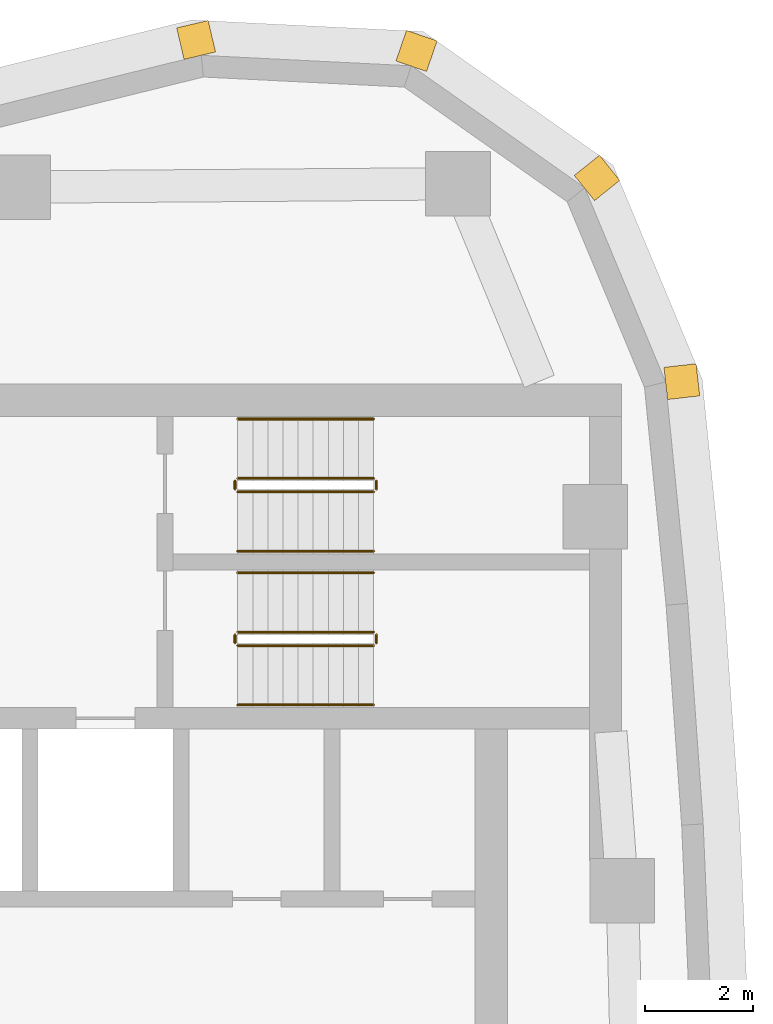
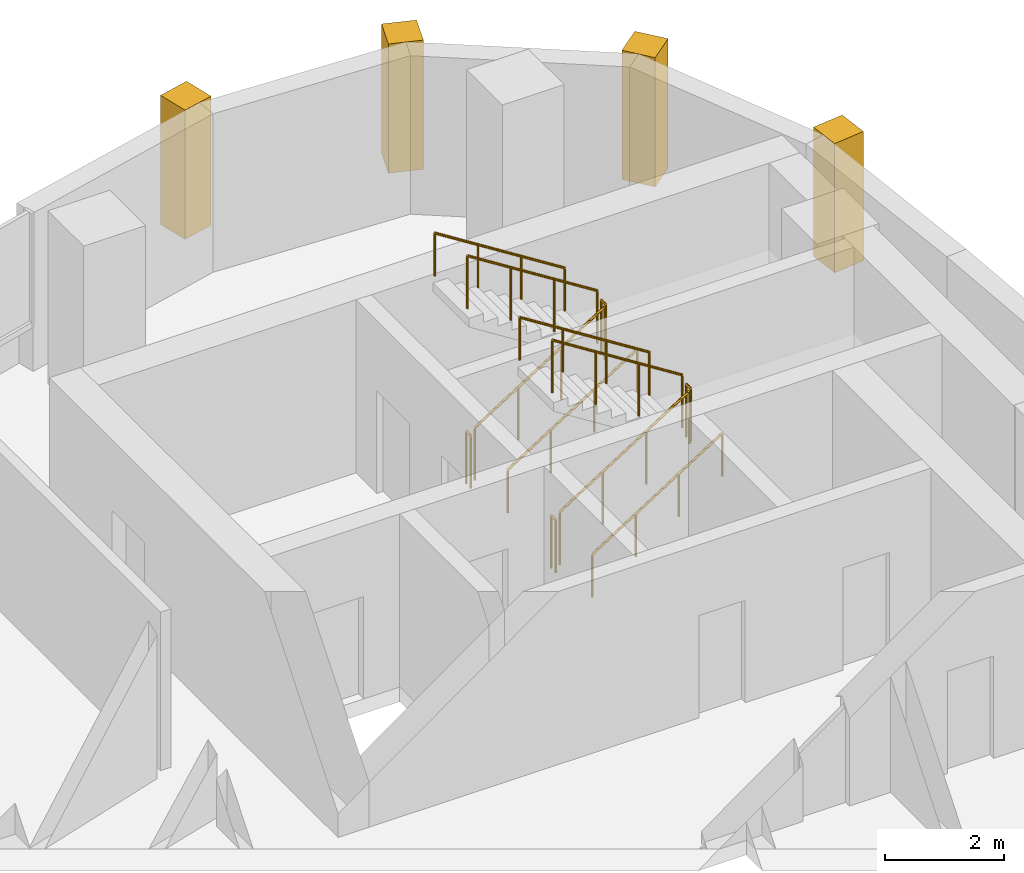
# One storey, part 15 of 15: 12 railings, 4 coverings.
"""IFC4 building model written with IfcOpenShell, lengths in metres."""

from ifc_helpers import new_model, si_unit, direction, frame, frame_2d, origin, origin_2d, place, context, subcontext, project, spatial, rectangle, circle, extrude, material, layer, layer_set, type_object, element, save


model = new_model("IFC4")

# Units and contexts
model_context = context("Model", 3, precision=1e-05, world=origin(), true_north=direction((0.0, 1.0)))
body_context = subcontext(model_context, "Body", "Model", "MODEL_VIEW")
ifc_project = project(units=[si_unit("LENGTHUNIT", "METRE"), si_unit("AREAUNIT", "SQUARE_METRE"), si_unit("VOLUMEUNIT", "CUBIC_METRE"), si_unit("PLANEANGLEUNIT", "RADIAN"), si_unit("MASSUNIT", "GRAM", prefix="KILO")], contexts=[model_context])

# Site, building, storey
site_placement = place(None, origin())
site = spatial("IfcSite", under=ifc_project, at=site_placement, CompositionType="ELEMENT")
building_placement = place(site_placement, origin())
building = spatial("IfcBuilding", under=site, at=building_placement, Name="Ostrand Prow Hotel Tower", CompositionType="ELEMENT")
storey_placement = place(building_placement, frame((0.0, 0.0, 242.10009765625)))
storey = spatial("IfcBuildingStorey", under=building, at=storey_placement, Name="L61", CompositionType="ELEMENT", Elevation=242.10009765625)

# Coverings
ifc_material_1 = material(Name="Limestone cladding", Category="masonry")
ifc_layer = layer(ifc_material_1, 0.60009765625)
ifc_layer_set = layer_set([ifc_layer], Name="Limestone cladding")
covering_type = type_object("IfcCoveringType", Name="Precast stone prow rib 600x600", PredefinedType="CLADDING", material=ifc_layer_set)
for number, where, z_axis, x_axis, name in (
    (1, (65.13623046875, 16.35986328125, 0.599853515625), (0.0, 0.0, 1.0), (0.993628058569, 0.112708833834, 0.0), "Stone corner rib 13a"),
    (2, (63.62744140625, 19.98291015625, 0.599853515625), (0.0, 0.0, 1.0), (0.779994736518, 0.625786074473, 0.0), "Stone corner rib 14a"),
    (3, (60.417236328125, 22.240966796875, 0.599853515625), (0.0, 0.0, 1.0), (0.325489086777, 0.945545797087, 0.0), "Stone corner rib 15a"),
    (4, (56.49755859375, 22.436279296875, 0.599853515625), (0.0, 0.0, 1.0), (-0.229878322855, 0.973219377469, 0.0), "Stone corner rib 15b"),
):
    element("IfcCovering", number, at=place(storey_placement, frame(where, z_axis=z_axis, x_axis=x_axis)), inside=storey, type_object=covering_type, Name=name, PredefinedType="CLADDING", context=body_context, shape_type="SweptSolid", body=[
        extrude(rectangle(XDim=0.60009765625, YDim=0.60009765625, at=frame_2d((0.300048828125, 0.0))), origin(), (0.0, 0.0, 1.0), 2.650146484375),
    ])

# Railings
ifc_material_2 = material(Name="Painted steel", Category="steel")
railing_type_1 = type_object("IfcRailingType", Name="Stair guard 1100", PredefinedType="GUARDRAIL", material=ifc_material_2)
railing_1_placement = place(storey_placement, frame((57.199951171875, 11.5, 0.177490234375)))
element("IfcRailing", 5, at=railing_1_placement, inside=storey, type_object=railing_type_1, Name="L61 ST1C stair guard 1", PredefinedType="GUARDRAIL", context=body_context, shape_type="SweptSolid", body=[
    extrude(circle(Radius=0.02392578125, at=origin_2d()), frame((0.0, 0.0, 1.076171875), z_axis=(0.84460694969, 0.0, 0.535386869969), x_axis=(0.0, 1.0, 0.0)), (0.0, 0.0, 1.0), 2.983642578125),
    extrude(circle(Radius=0.02099609375, at=origin_2d()), origin(), (0.0, 0.0, 1.0), 1.052001953125),
    extrude(circle(Radius=0.02099609375, at=origin_2d()), frame((0.840087890625, 0.0, 0.532470703125)), (0.0, 0.0, 1.0), 1.052001953125),
    extrude(circle(Radius=0.02099609375, at=origin_2d()), frame((1.679931640625, 0.0, 1.06494140625)), (0.0, 0.0, 1.0), 1.052001953125),
    extrude(circle(Radius=0.02099609375, at=origin_2d()), frame((2.52001953125, 0.0, 1.597412109375)), (0.0, 0.0, 1.0), 1.052001953125),
])
railing_2_placement = place(storey_placement, frame((59.77001953125, 11.550048828125, 1.77490234375)))
element("IfcRailing", 6, at=railing_2_placement, inside=storey, type_object=railing_type_1, Name="L61 ST1C stair guard 2", PredefinedType="GUARDRAIL", context=body_context, shape_type="SweptSolid", body=[
    extrude(circle(Radius=0.02392578125, at=origin_2d()), frame((0.0, 0.0, 1.076171875), z_axis=(0.0, 1.0, 0.0), x_axis=(-1.0, 0.0, 0.0)), (0.0, 0.0, 1.0), 0.14990234375),
    extrude(circle(Radius=0.02099609375, at=origin_2d()), origin(), (0.0, 0.0, 1.0), 1.052001953125),
    extrude(circle(Radius=0.02099609375, at=origin_2d()), frame((0.0, 0.14990234375, 0.0)), (0.0, 0.0, 1.0), 1.052001953125),
])
railing_3_placement = place(storey_placement, frame((59.719970703125, 11.75, 1.952392578125)))
element("IfcRailing", 7, at=railing_3_placement, inside=storey, type_object=railing_type_1, Name="L61 ST1C stair guard 3", PredefinedType="GUARDRAIL", context=body_context, shape_type="SweptSolid", body=[
    extrude(circle(Radius=0.02392578125, at=origin_2d()), frame((0.0, 0.0, 1.076171875), z_axis=(-0.84460694969, 0.0, 0.535386869969), x_axis=(0.0, -1.0, 0.0)), (0.0, 0.0, 1.0), 2.983642578125),
    extrude(circle(Radius=0.02099609375, at=origin_2d()), origin(), (0.0, 0.0, 1.0), 1.052001953125),
    extrude(circle(Radius=0.02099609375, at=origin_2d()), frame((-0.840087890625, 0.0, 0.532470703125)), (0.0, 0.0, 1.0), 1.052001953125),
    extrude(circle(Radius=0.02099609375, at=origin_2d()), frame((-1.679931640625, 0.0, 1.06494140625)), (0.0, 0.0, 1.0), 1.052001953125),
    extrude(circle(Radius=0.02099609375, at=origin_2d()), frame((-2.52001953125, 0.0, 1.597412109375)), (0.0, 0.0, 1.0), 1.052001953125),
])
railing_4_placement = place(storey_placement, frame((57.14990234375, 11.550048828125, 0.0)))
element("IfcRailing", 8, at=railing_4_placement, inside=storey, type_object=railing_type_1, Name="L61 ST1C stair guard 4", PredefinedType="GUARDRAIL", context=body_context, shape_type="SweptSolid", body=[
    extrude(circle(Radius=0.02392578125, at=origin_2d()), frame((0.0, 0.0, 1.076171875), z_axis=(0.0, 1.0, 0.0), x_axis=(-1.0, 0.0, 0.0)), (0.0, 0.0, 1.0), 0.14990234375),
    extrude(circle(Radius=0.02099609375, at=origin_2d()), origin(), (0.0, 0.0, 1.0), 1.052001953125),
    extrude(circle(Radius=0.02099609375, at=origin_2d()), frame((0.0, 0.14990234375, 0.0)), (0.0, 0.0, 1.0), 1.052001953125),
])
railing_5_placement = place(storey_placement, frame((57.199951171875, 14.35009765625, 0.177490234375)))
element("IfcRailing", 9, at=railing_5_placement, inside=storey, type_object=railing_type_1, Name="L61 ST3C stair guard 1", PredefinedType="GUARDRAIL", context=body_context, shape_type="SweptSolid", body=[
    extrude(circle(Radius=0.02392578125, at=origin_2d()), frame((0.0, 0.0, 1.076171875), z_axis=(0.84460694969, 0.0, 0.535386869969), x_axis=(0.0, 1.0, 0.0)), (0.0, 0.0, 1.0), 2.983642578125),
    extrude(circle(Radius=0.02099609375, at=origin_2d()), origin(), (0.0, 0.0, 1.0), 1.052001953125),
    extrude(circle(Radius=0.02099609375, at=origin_2d()), frame((0.840087890625, 0.0, 0.532470703125)), (0.0, 0.0, 1.0), 1.052001953125),
    extrude(circle(Radius=0.02099609375, at=origin_2d()), frame((1.679931640625, 0.0, 1.06494140625)), (0.0, 0.0, 1.0), 1.052001953125),
    extrude(circle(Radius=0.02099609375, at=origin_2d()), frame((2.52001953125, 0.0, 1.597412109375)), (0.0, 0.0, 1.0), 1.052001953125),
])
railing_6_placement = place(storey_placement, frame((59.77001953125, 14.39990234375, 1.77490234375)))
element("IfcRailing", 10, at=railing_6_placement, inside=storey, type_object=railing_type_1, Name="L61 ST3C stair guard 2", PredefinedType="GUARDRAIL", context=body_context, shape_type="SweptSolid", body=[
    extrude(circle(Radius=0.02392578125, at=origin_2d()), frame((0.0, 0.0, 1.076171875), z_axis=(0.0, 1.0, 0.0), x_axis=(-1.0, 0.0, 0.0)), (0.0, 0.0, 1.0), 0.150146484375),
    extrude(circle(Radius=0.02099609375, at=origin_2d()), origin(), (0.0, 0.0, 1.0), 1.052001953125),
    extrude(circle(Radius=0.02099609375, at=origin_2d()), frame((0.0, 0.150146484375, 0.0)), (0.0, 0.0, 1.0), 1.052001953125),
])
railing_7_placement = place(storey_placement, frame((59.719970703125, 14.60009765625, 1.952392578125)))
element("IfcRailing", 11, at=railing_7_placement, inside=storey, type_object=railing_type_1, Name="L61 ST3C stair guard 3", PredefinedType="GUARDRAIL", context=body_context, shape_type="SweptSolid", body=[
    extrude(circle(Radius=0.02392578125, at=origin_2d()), frame((0.0, 0.0, 1.076171875), z_axis=(-0.84460694969, 0.0, 0.535386869969), x_axis=(0.0, -1.0, 0.0)), (0.0, 0.0, 1.0), 2.983642578125),
    extrude(circle(Radius=0.02099609375, at=origin_2d()), origin(), (0.0, 0.0, 1.0), 1.052001953125),
    extrude(circle(Radius=0.02099609375, at=origin_2d()), frame((-0.840087890625, 0.0, 0.532470703125)), (0.0, 0.0, 1.0), 1.052001953125),
    extrude(circle(Radius=0.02099609375, at=origin_2d()), frame((-1.679931640625, 0.0, 1.06494140625)), (0.0, 0.0, 1.0), 1.052001953125),
    extrude(circle(Radius=0.02099609375, at=origin_2d()), frame((-2.52001953125, 0.0, 1.597412109375)), (0.0, 0.0, 1.0), 1.052001953125),
])
railing_8_placement = place(storey_placement, frame((57.14990234375, 14.39990234375, 0.0)))
element("IfcRailing", 12, at=railing_8_placement, inside=storey, type_object=railing_type_1, Name="L61 ST3C stair guard 4", PredefinedType="GUARDRAIL", context=body_context, shape_type="SweptSolid", body=[
    extrude(circle(Radius=0.02392578125, at=origin_2d()), frame((0.0, 0.0, 1.076171875), z_axis=(0.0, 1.0, 0.0), x_axis=(-1.0, 0.0, 0.0)), (0.0, 0.0, 1.0), 0.150146484375),
    extrude(circle(Radius=0.02099609375, at=origin_2d()), origin(), (0.0, 0.0, 1.0), 1.052001953125),
    extrude(circle(Radius=0.02099609375, at=origin_2d()), frame((0.0, 0.150146484375, 0.0)), (0.0, 0.0, 1.0), 1.052001953125),
])
ifc_material_3 = material(Name="Stainless steel", Category="steel")
railing_type_2 = type_object("IfcRailingType", Name="Stair handrail 900", PredefinedType="HANDRAIL", material=ifc_material_3)
railing_9_placement = place(storey_placement, frame((57.199951171875, 10.39990234375, 0.177490234375)))
element("IfcRailing", 13, at=railing_9_placement, inside=storey, type_object=railing_type_2, Name="L61 ST1C stair handrail 1", PredefinedType="HANDRAIL", context=body_context, shape_type="SweptSolid", body=[
    extrude(circle(Radius=0.02392578125, at=origin_2d()), frame((0.0, 0.0, 0.8759765625), z_axis=(0.84460694969, 0.0, 0.535386869969), x_axis=(0.0, 1.0, 0.0)), (0.0, 0.0, 1.0), 2.983642578125),
    extrude(circle(Radius=0.02099609375, at=origin_2d()), origin(), (0.0, 0.0, 1.0), 0.851806640625),
    extrude(circle(Radius=0.02099609375, at=origin_2d()), frame((0.840087890625, 0.0, 0.532470703125)), (0.0, 0.0, 1.0), 0.851806640625),
    extrude(circle(Radius=0.02099609375, at=origin_2d()), frame((1.679931640625, 0.0, 1.06494140625)), (0.0, 0.0, 1.0), 0.851806640625),
    extrude(circle(Radius=0.02099609375, at=origin_2d()), frame((2.52001953125, 0.0, 1.597412109375)), (0.0, 0.0, 1.0), 0.851806640625),
])
railing_10_placement = place(storey_placement, frame((59.719970703125, 12.85009765625, 1.952392578125)))
element("IfcRailing", 14, at=railing_10_placement, inside=storey, type_object=railing_type_2, Name="L61 ST1C stair handrail 2", PredefinedType="HANDRAIL", context=body_context, shape_type="SweptSolid", body=[
    extrude(circle(Radius=0.02392578125, at=origin_2d()), frame((0.0, 0.0, 0.8759765625), z_axis=(-0.84460694969, 0.0, 0.535386869969), x_axis=(0.0, -1.0, 0.0)), (0.0, 0.0, 1.0), 2.983642578125),
    extrude(circle(Radius=0.02099609375, at=origin_2d()), origin(), (0.0, 0.0, 1.0), 0.851806640625),
    extrude(circle(Radius=0.02099609375, at=origin_2d()), frame((-0.840087890625, 0.0, 0.532470703125)), (0.0, 0.0, 1.0), 0.851806640625),
    extrude(circle(Radius=0.02099609375, at=origin_2d()), frame((-1.679931640625, 0.0, 1.06494140625)), (0.0, 0.0, 1.0), 0.851806640625),
    extrude(circle(Radius=0.02099609375, at=origin_2d()), frame((-2.52001953125, 0.0, 1.597412109375)), (0.0, 0.0, 1.0), 0.851806640625),
])
railing_11_placement = place(storey_placement, frame((57.199951171875, 13.25, 0.177490234375)))
element("IfcRailing", 15, at=railing_11_placement, inside=storey, type_object=railing_type_2, Name="L61 ST3C stair handrail 1", PredefinedType="HANDRAIL", context=body_context, shape_type="SweptSolid", body=[
    extrude(circle(Radius=0.02392578125, at=origin_2d()), frame((0.0, 0.0, 0.8759765625), z_axis=(0.84460694969, 0.0, 0.535386869969), x_axis=(0.0, 1.0, 0.0)), (0.0, 0.0, 1.0), 2.983642578125),
    extrude(circle(Radius=0.02099609375, at=origin_2d()), origin(), (0.0, 0.0, 1.0), 0.851806640625),
    extrude(circle(Radius=0.02099609375, at=origin_2d()), frame((0.840087890625, 0.0, 0.532470703125)), (0.0, 0.0, 1.0), 0.851806640625),
    extrude(circle(Radius=0.02099609375, at=origin_2d()), frame((1.679931640625, 0.0, 1.06494140625)), (0.0, 0.0, 1.0), 0.851806640625),
    extrude(circle(Radius=0.02099609375, at=origin_2d()), frame((2.52001953125, 0.0, 1.597412109375)), (0.0, 0.0, 1.0), 0.851806640625),
])
railing_12_placement = place(storey_placement, frame((59.719970703125, 15.699951171875, 1.952392578125)))
element("IfcRailing", 16, at=railing_12_placement, inside=storey, type_object=railing_type_2, Name="L61 ST3C stair handrail 2", PredefinedType="HANDRAIL", context=body_context, shape_type="SweptSolid", body=[
    extrude(circle(Radius=0.02392578125, at=origin_2d()), frame((0.0, 0.0, 0.8759765625), z_axis=(-0.84460694969, 0.0, 0.535386869969), x_axis=(0.0, -1.0, 0.0)), (0.0, 0.0, 1.0), 2.983642578125),
    extrude(circle(Radius=0.02099609375, at=origin_2d()), origin(), (0.0, 0.0, 1.0), 0.851806640625),
    extrude(circle(Radius=0.02099609375, at=origin_2d()), frame((-0.840087890625, 0.0, 0.532470703125)), (0.0, 0.0, 1.0), 0.851806640625),
    extrude(circle(Radius=0.02099609375, at=origin_2d()), frame((-1.679931640625, 0.0, 1.06494140625)), (0.0, 0.0, 1.0), 0.851806640625),
    extrude(circle(Radius=0.02099609375, at=origin_2d()), frame((-2.52001953125, 0.0, 1.597412109375)), (0.0, 0.0, 1.0), 0.851806640625),
])

save(model, "model.ifc")
